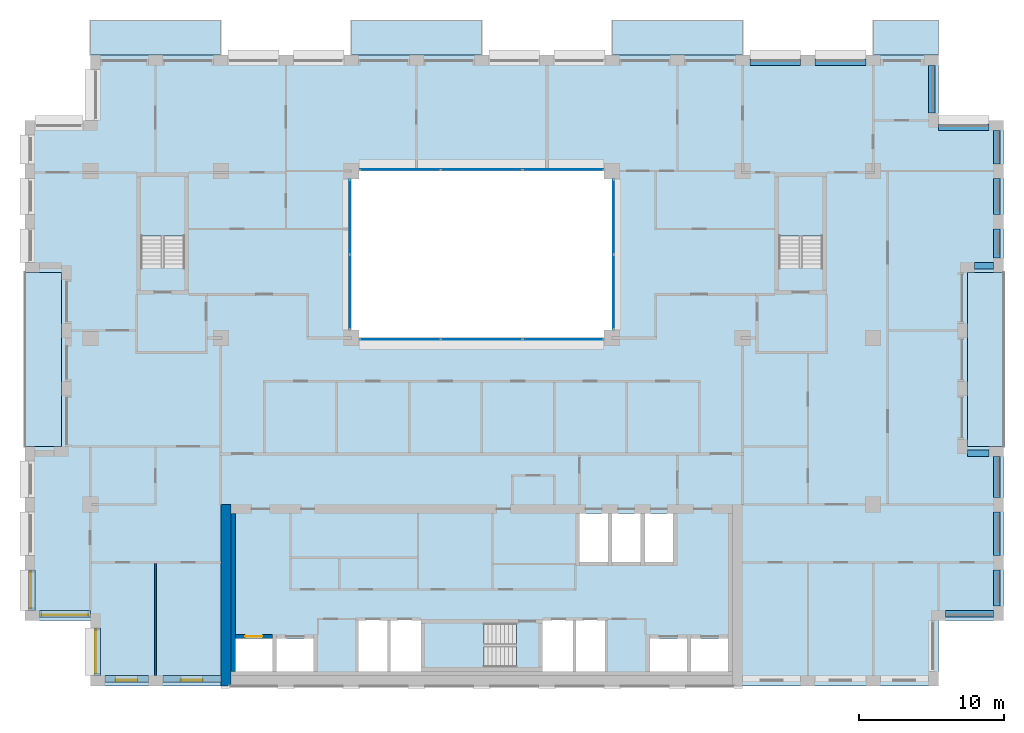
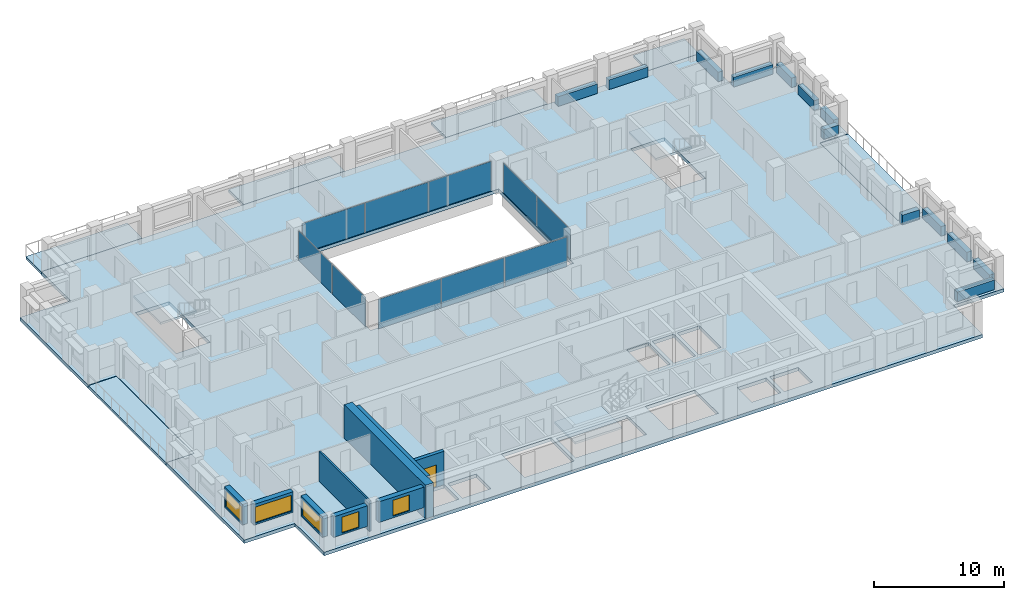
# One storey, part 7 of 15: 13 beams, 10 plates, 10 slabs, 9 walls, 5 windows, 1 door, 6 openings, 7 elements without a shape of their own.
"""IFC4 building model written with IfcOpenShell, lengths in metres."""

from ifc_helpers import new_model, si_unit, direction, frame, frame_2d, origin, origin_2d, place, context, subcontext, project, spatial, polyline, rectangle, outline, extrude, material, layer, layer_set, material_profile, profile_set, type_object, element, fill, aggregate, save


model = new_model("IFC4")

# Units and contexts
model_context = context("Model", 3, precision=1e-05, world=origin(), true_north=direction((0.0, 1.0)))
body_context = subcontext(model_context, "Body", "Model", "MODEL_VIEW")
ifc_project = project(units=[si_unit("LENGTHUNIT", "METRE"), si_unit("AREAUNIT", "SQUARE_METRE"), si_unit("VOLUMEUNIT", "CUBIC_METRE"), si_unit("PLANEANGLEUNIT", "RADIAN"), si_unit("MASSUNIT", "GRAM", prefix="KILO")], contexts=[model_context])

# Site, building, storey
site_placement = place(None, origin())
site = spatial("IfcSite", under=ifc_project, at=site_placement, CompositionType="ELEMENT")
building_placement = place(site_placement, origin())
building = spatial("IfcBuilding", under=site, at=building_placement, Name="Brigalow Station Residences", CompositionType="ELEMENT")
storey_placement = place(building_placement, frame((0.0, 0.0, 150.75)))
storey = spatial("IfcBuildingStorey", under=building, at=storey_placement, Name="L43", CompositionType="ELEMENT", Elevation=150.75)

# Beams
ifc_material_1 = material(Name="Concrete C50", Category="concrete")
ifc_material_profile = material_profile(ifc_material_1, rectangle(XDim=0.449951171875, YDim=0.89990234375, at=origin_2d()), Name="RC450x900")
ifc_profile_set = profile_set([ifc_material_profile], Name="Concrete C50")
beam_type = type_object("IfcBeamType", Name="SPANDREL BEAM 450x900 C50", PredefinedType="SPANDREL", material=ifc_profile_set)
beam_1_placement = place(storey_placement, frame((68.0, 4.97509765625, 0.449951171875), z_axis=(1.0, 0.0, 0.0), x_axis=(0.0, 1.0, 0.0)))
element("IfcBeam", 1, at=beam_1_placement, inside=storey, type_object=beam_type, Name="L43/spandrel/W-L43-8", PredefinedType="SPANDREL", context=body_context, shape_type="SweptSolid", body=[
    extrude(rectangle(XDim=0.449951171875, YDim=0.89990234375, at=origin_2d()), origin(), (0.0, 0.0, 1.0), 3.300048828125),
])
beam_2_placement = place(storey_placement, frame((71.52490234375, 5.5, 0.449951171875), z_axis=(0.0, 1.0, 0.0), x_axis=(-1.0, 0.0, 0.0)))
element("IfcBeam", 2, at=beam_2_placement, inside=storey, type_object=beam_type, Name="L43/spandrel/W-L43-9", PredefinedType="SPANDREL", context=body_context, shape_type="SweptSolid", body=[
    extrude(rectangle(XDim=0.449951171875, YDim=0.89990234375, at=origin_2d()), origin(), (0.0, 0.0, 1.0), 2.5),
])
beam_3_placement = place(storey_placement, frame((71.52490234375, 9.0, 0.449951171875), z_axis=(0.0, 1.0, 0.0), x_axis=(-1.0, 0.0, 0.0)))
element("IfcBeam", 3, at=beam_3_placement, inside=storey, type_object=beam_type, Name="L43/spandrel/W-L43-10", PredefinedType="SPANDREL", context=body_context, shape_type="SweptSolid", body=[
    extrude(rectangle(XDim=0.449951171875, YDim=0.89990234375, at=origin_2d()), origin(), (0.0, 0.0, 1.0), 3.0),
])
beam_4_placement = place(storey_placement, frame((71.52490234375, 13.0, 0.449951171875), z_axis=(0.0, 1.0, 0.0), x_axis=(-1.0, 0.0, 0.0)))
element("IfcBeam", 4, at=beam_4_placement, inside=storey, type_object=beam_type, Name="L43/spandrel/W-L43-11", PredefinedType="SPANDREL", context=body_context, shape_type="SweptSolid", body=[
    extrude(rectangle(XDim=0.449951171875, YDim=0.89990234375, at=origin_2d()), origin(), (0.0, 0.0, 1.0), 2.800048828125),
])
beam_5_placement = place(storey_placement, frame((71.0, 16.02490234375, 0.449951171875), z_axis=(-1.0, 0.0, 0.0), x_axis=(0.0, -1.0, 0.0)))
element("IfcBeam", 5, at=beam_5_placement, inside=storey, type_object=beam_type, Name="L43/spandrel/W-L43-12", PredefinedType="SPANDREL", context=body_context, shape_type="SweptSolid", body=[
    extrude(rectangle(XDim=0.449951171875, YDim=0.89990234375, at=origin_2d()), origin(), (0.0, 0.0, 1.0), 1.5),
])
beam_6_placement = place(storey_placement, frame((70.0, 28.97509765625, 0.449951171875), z_axis=(1.0, 0.0, 0.0), x_axis=(0.0, 1.0, 0.0)))
element("IfcBeam", 6, at=beam_6_placement, inside=storey, type_object=beam_type, Name="L43/spandrel/W-L43-16", PredefinedType="SPANDREL", context=body_context, shape_type="SweptSolid", body=[
    extrude(rectangle(XDim=0.449951171875, YDim=0.89990234375, at=origin_2d()), origin(), (0.0, 0.0, 1.0), 1.300048828125),
])
beam_7_placement = place(storey_placement, frame((71.52490234375, 29.5, 0.449951171875), z_axis=(0.0, 1.0, 0.0), x_axis=(-1.0, 0.0, 0.0)))
element("IfcBeam", 7, at=beam_7_placement, inside=storey, type_object=beam_type, Name="L43/spandrel/W-L43-17", PredefinedType="SPANDREL", context=body_context, shape_type="SweptSolid", body=[
    extrude(rectangle(XDim=0.449951171875, YDim=0.89990234375, at=origin_2d()), origin(), (0.0, 0.0, 1.0), 2.0),
])
beam_8_placement = place(storey_placement, frame((71.52490234375, 32.5, 0.449951171875), z_axis=(0.0, 1.0, 0.0), x_axis=(-1.0, 0.0, 0.0)))
element("IfcBeam", 8, at=beam_8_placement, inside=storey, type_object=beam_type, Name="L43/spandrel/W-L43-18", PredefinedType="SPANDREL", context=body_context, shape_type="SweptSolid", body=[
    extrude(rectangle(XDim=0.449951171875, YDim=0.89990234375, at=origin_2d()), origin(), (0.0, 0.0, 1.0), 2.5),
])
beam_9_placement = place(storey_placement, frame((71.52490234375, 36.0, 0.449951171875), z_axis=(0.0, 1.0, 0.0), x_axis=(-1.0, 0.0, 0.0)))
element("IfcBeam", 9, at=beam_9_placement, inside=storey, type_object=beam_type, Name="L43/spandrel/W-L43-19", PredefinedType="SPANDREL", context=body_context, shape_type="SweptSolid", body=[
    extrude(rectangle(XDim=0.449951171875, YDim=0.89990234375, at=origin_2d()), origin(), (0.0, 0.0, 1.0), 2.300048828125),
])
beam_10_placement = place(storey_placement, frame((71.0, 38.52490234375, 0.449951171875), z_axis=(-1.0, 0.0, 0.0), x_axis=(0.0, -1.0, 0.0)))
element("IfcBeam", 10, at=beam_10_placement, inside=storey, type_object=beam_type, Name="L43/spandrel/W-L43-20", PredefinedType="SPANDREL", context=body_context, shape_type="SweptSolid", body=[
    extrude(rectangle(XDim=0.449951171875, YDim=0.89990234375, at=origin_2d()), origin(), (0.0, 0.0, 1.0), 3.5),
])
beam_11_placement = place(storey_placement, frame((67.02490234375, 39.5, 0.449951171875), z_axis=(0.0, 1.0, 0.0), x_axis=(-1.0, 0.0, 0.0)))
element("IfcBeam", 11, at=beam_11_placement, inside=storey, type_object=beam_type, Name="L43/spandrel/W-L43-21", PredefinedType="SPANDREL", context=body_context, shape_type="SweptSolid", body=[
    extrude(rectangle(XDim=0.449951171875, YDim=0.89990234375, at=origin_2d()), origin(), (0.0, 0.0, 1.0), 3.300048828125),
])
for number, where, z_axis, x_axis, name in (
    (12, (62.5, 43.02490234375, 0.449951171875), (-1.0, 0.0, 0.0), (0.0, -1.0, 0.0), "L43/spandrel/W-L43-23"),
    (13, (58.0, 43.02490234375, 0.449951171875), (-1.0, 0.0, 0.0), (0.0, -1.0, 0.0), "L43/spandrel/W-L43-24"),
):
    element("IfcBeam", number, at=place(storey_placement, frame(where, z_axis=z_axis, x_axis=x_axis)), inside=storey, type_object=beam_type, Name=name, PredefinedType="SPANDREL", context=body_context, shape_type="SweptSolid", body=[
        extrude(rectangle(XDim=0.449951171875, YDim=0.89990234375, at=origin_2d()), origin(), (0.0, 0.0, 1.0), 3.5),
    ])

# Curtain wall, plates
ifc_material_2 = material(Name="Aluminium", Category="aluminium")
ifc_layer_1 = layer(ifc_material_2, 0.14990234375)
ifc_layer_set_1 = layer_set([ifc_layer_1], Name="ATRIUM FIRE-RATED GLAZING CURTAIN WALL")
curtain_wall_type = type_object("IfcCurtainWallType", Name="ATRIUM FIRE-RATED GLAZING CURTAIN WALL", PredefinedType="NOTDEFINED", material=ifc_layer_set_1)
curtain_wall_1_placement = place(storey_placement, origin())
curtain_wall_1 = element("IfcCurtainWall", 14, at=curtain_wall_1_placement, inside=storey, type_object=curtain_wall_type, Name="L43/cw/atrium-S", PredefinedType="NOTDEFINED")
ifc_material_3 = material(Name="Fire-resisting laminated glazing, FRL -/60/-", Category="glass")
ifc_layer_2 = layer(ifc_material_3, 0.031982421875)
ifc_layer_set_2 = layer_set([ifc_layer_2], Name="ATRIUM FIRE-RATED GLAZING PANEL 32")
plate_type = type_object("IfcPlateType", Name="ATRIUM FIRE-RATED GLAZING PANEL 32", PredefinedType="CURTAIN_PANEL", material=ifc_layer_set_2)
plate_1_placement = place(storey_placement, frame((30.381591796875, 23.89990234375, 0.0), z_axis=(0.0, 0.0, 1.0), x_axis=(1.0, 0.0, 0.0)))
plate_1 = element("IfcPlate", 15, at=plate_1_placement, type_object=plate_type, Name="L43/cw/atrium-S/P00-00", PredefinedType="CURTAIN_PANEL", context=body_context, shape_type="SweptSolid", body=[
    extrude(rectangle(XDim=5.543212890625, YDim=0.031982421875, at=origin_2d()), origin(), (0.0, 0.0, 1.0), 2.77001953125),
])
plate_2_placement = place(storey_placement, frame((36.0, 23.89990234375, 0.0), z_axis=(0.0, 0.0, 1.0), x_axis=(1.0, 0.0, 0.0)))
plate_2 = element("IfcPlate", 16, at=plate_2_placement, type_object=plate_type, Name="L43/cw/atrium-S/P01-00", PredefinedType="CURTAIN_PANEL", context=body_context, shape_type="SweptSolid", body=[
    extrude(rectangle(XDim=5.5732421875, YDim=0.031982421875, at=origin_2d()), origin(), (0.0, 0.0, 1.0), 2.77001953125),
])
plate_3_placement = place(storey_placement, frame((41.618408203125, 23.89990234375, 0.0), z_axis=(0.0, 0.0, 1.0), x_axis=(1.0, 0.0, 0.0)))
plate_3 = element("IfcPlate", 17, at=plate_3_placement, type_object=plate_type, Name="L43/cw/atrium-S/P02-00", PredefinedType="CURTAIN_PANEL", context=body_context, shape_type="SweptSolid", body=[
    extrude(rectangle(XDim=5.543212890625, YDim=0.031982421875, at=origin_2d()), origin(), (0.0, 0.0, 1.0), 2.77001953125),
])
aggregate(curtain_wall_1, [plate_1, plate_2, plate_3])

curtain_wall_2_placement = place(storey_placement, origin())
curtain_wall_2 = element("IfcCurtainWall", 18, at=curtain_wall_2_placement, inside=storey, type_object=curtain_wall_type, Name="L43/cw/atrium-E", PredefinedType="NOTDEFINED")
plate_4_placement = place(storey_placement, frame((45.10009765625, 27.1650390625, 0.0), z_axis=(0.0, 0.0, 1.0), x_axis=(0.0, 1.0, 0.0)))
plate_4 = element("IfcPlate", 19, at=plate_4_placement, type_object=plate_type, Name="L43/cw/atrium-E/P00-00", PredefinedType="CURTAIN_PANEL", context=body_context, shape_type="SweptSolid", body=[
    extrude(rectangle(XDim=5.110107421875, YDim=0.031982421875, at=origin_2d()), origin(), (0.0, 0.0, 1.0), 2.77001953125),
])
plate_5_placement = place(storey_placement, frame((45.10009765625, 32.3349609375, 0.0), z_axis=(0.0, 0.0, 1.0), x_axis=(0.0, 1.0, 0.0)))
plate_5 = element("IfcPlate", 20, at=plate_5_placement, type_object=plate_type, Name="L43/cw/atrium-E/P01-00", PredefinedType="CURTAIN_PANEL", context=body_context, shape_type="SweptSolid", body=[
    extrude(rectangle(XDim=5.110107421875, YDim=0.031982421875, at=origin_2d()), origin(), (0.0, 0.0, 1.0), 2.77001953125),
])
aggregate(curtain_wall_2, [plate_4, plate_5])

curtain_wall_3_placement = place(storey_placement, origin())
curtain_wall_3 = element("IfcCurtainWall", 21, at=curtain_wall_3_placement, inside=storey, type_object=curtain_wall_type, Name="L43/cw/atrium-N", PredefinedType="NOTDEFINED")
plate_6_placement = place(storey_placement, frame((41.618408203125, 35.60009765625, 0.0), z_axis=(0.0, 0.0, 1.0), x_axis=(-1.0, 0.0, 0.0)))
plate_6 = element("IfcPlate", 22, at=plate_6_placement, type_object=plate_type, Name="L43/cw/atrium-N/P00-00", PredefinedType="CURTAIN_PANEL", context=body_context, shape_type="SweptSolid", body=[
    extrude(rectangle(XDim=5.543212890625, YDim=0.031982421875, at=origin_2d()), origin(), (0.0, 0.0, 1.0), 2.77001953125),
])
plate_7_placement = place(storey_placement, frame((36.0, 35.60009765625, 0.0), z_axis=(0.0, 0.0, 1.0), x_axis=(-1.0, 0.0, 0.0)))
plate_7 = element("IfcPlate", 23, at=plate_7_placement, type_object=plate_type, Name="L43/cw/atrium-N/P01-00", PredefinedType="CURTAIN_PANEL", context=body_context, shape_type="SweptSolid", body=[
    extrude(rectangle(XDim=5.5732421875, YDim=0.031982421875, at=origin_2d()), origin(), (0.0, 0.0, 1.0), 2.77001953125),
])
plate_8_placement = place(storey_placement, frame((30.381591796875, 35.60009765625, 0.0), z_axis=(0.0, 0.0, 1.0), x_axis=(-1.0, 0.0, 0.0)))
plate_8 = element("IfcPlate", 24, at=plate_8_placement, type_object=plate_type, Name="L43/cw/atrium-N/P02-00", PredefinedType="CURTAIN_PANEL", context=body_context, shape_type="SweptSolid", body=[
    extrude(rectangle(XDim=5.543212890625, YDim=0.031982421875, at=origin_2d()), origin(), (0.0, 0.0, 1.0), 2.77001953125),
])
aggregate(curtain_wall_3, [plate_6, plate_7, plate_8])

curtain_wall_4_placement = place(storey_placement, origin())
curtain_wall_4 = element("IfcCurtainWall", 25, at=curtain_wall_4_placement, inside=storey, type_object=curtain_wall_type, Name="L43/cw/atrium-W", PredefinedType="NOTDEFINED")
plate_9_placement = place(storey_placement, frame((26.89990234375, 32.3349609375, 0.0), z_axis=(0.0, 0.0, 1.0), x_axis=(0.0, -1.0, 0.0)))
plate_9 = element("IfcPlate", 26, at=plate_9_placement, type_object=plate_type, Name="L43/cw/atrium-W/P00-00", PredefinedType="CURTAIN_PANEL", context=body_context, shape_type="SweptSolid", body=[
    extrude(rectangle(XDim=5.110107421875, YDim=0.031982421875, at=origin_2d()), origin(), (0.0, 0.0, 1.0), 2.77001953125),
])
plate_10_placement = place(storey_placement, frame((26.89990234375, 27.1650390625, 0.0), z_axis=(0.0, 0.0, 1.0), x_axis=(0.0, -1.0, 0.0)))
plate_10 = element("IfcPlate", 27, at=plate_10_placement, type_object=plate_type, Name="L43/cw/atrium-W/P01-00", PredefinedType="CURTAIN_PANEL", context=body_context, shape_type="SweptSolid", body=[
    extrude(rectangle(XDim=5.110107421875, YDim=0.031982421875, at=origin_2d()), origin(), (0.0, 0.0, 1.0), 2.77001953125),
])
aggregate(curtain_wall_4, [plate_9, plate_10])

# Slabs
ifc_material_4 = material(Name="Concrete C50 precast", Category="concrete")
ifc_layer_3 = layer(ifc_material_4, 0.25)
ifc_layer_set_3 = layer_set([ifc_layer_3], Name="BALCONY SLAB 250")
slab_type_1 = type_object("IfcSlabType", Name="BALCONY SLAB 250", PredefinedType="USERDEFINED", material=ifc_layer_set_3)
slab_1_placement = place(storey_placement, frame((0.0, 0.0, -0.2900390625)))
element("IfcSlab", 28, at=slab_1_placement, inside=storey, type_object=slab_type_1, Name="L43/balcony/1", ObjectType="BALCONY", PredefinedType="USERDEFINED", context=body_context, shape_type="SweptSolid", body=[
    extrude(outline(polyline([(69.5, 16.5), (72.0, 16.5), (72.0, 28.5), (69.5, 28.5), (69.5, 16.5)])), origin(), (0.0, 0.0, 1.0), 0.25),
])
slab_2_placement = place(storey_placement, frame((0.0, 0.0, -0.2900390625)))
element("IfcSlab", 29, at=slab_2_placement, inside=storey, type_object=slab_type_1, Name="L43/balcony/2", ObjectType="BALCONY", PredefinedType="USERDEFINED", context=body_context, shape_type="SweptSolid", body=[
    extrude(outline(polyline([(67.5, 43.5), (67.5, 45.89990234375), (63.0, 45.89990234375), (63.0, 43.5), (67.5, 43.5)])), origin(), (0.0, 0.0, 1.0), 0.25),
])
slab_3_placement = place(storey_placement, frame((0.0, 0.0, -0.2900390625)))
element("IfcSlab", 30, at=slab_3_placement, inside=storey, type_object=slab_type_1, Name="L43/balcony/3", ObjectType="BALCONY", PredefinedType="USERDEFINED", context=body_context, shape_type="SweptSolid", body=[
    extrude(outline(polyline([(54.0, 43.5), (54.0, 45.89990234375), (45.0, 45.89990234375), (45.0, 43.5), (54.0, 43.5)])), origin(), (0.0, 0.0, 1.0), 0.25),
])
slab_4_placement = place(storey_placement, frame((0.0, 0.0, -0.2900390625)))
element("IfcSlab", 31, at=slab_4_placement, inside=storey, type_object=slab_type_1, Name="L43/balcony/4", ObjectType="BALCONY", PredefinedType="USERDEFINED", context=body_context, shape_type="SweptSolid", body=[
    extrude(outline(polyline([(36.0, 43.5), (36.0, 45.89990234375), (27.0, 45.89990234375), (27.0, 43.5), (36.0, 43.5)])), origin(), (0.0, 0.0, 1.0), 0.25),
])
slab_5_placement = place(storey_placement, frame((0.0, 0.0, -0.2900390625)))
element("IfcSlab", 32, at=slab_5_placement, inside=storey, type_object=slab_type_1, Name="L43/balcony/5", ObjectType="BALCONY", PredefinedType="USERDEFINED", context=body_context, shape_type="SweptSolid", body=[
    extrude(outline(polyline([(18.0, 43.5), (18.0, 45.89990234375), (9.0, 45.89990234375), (9.0, 43.5), (18.0, 43.5)])), origin(), (0.0, 0.0, 1.0), 0.25),
])
slab_6_placement = place(storey_placement, frame((0.0, 0.0, -0.2900390625)))
element("IfcSlab", 33, at=slab_6_placement, inside=storey, type_object=slab_type_1, Name="L43/balcony/6", ObjectType="BALCONY", PredefinedType="USERDEFINED", context=body_context, shape_type="SweptSolid", body=[
    extrude(outline(polyline([(7.0, 28.5), (4.5, 28.5), (4.5, 16.5), (7.0, 16.5), (7.0, 28.5)])), origin(), (0.0, 0.0, 1.0), 0.25),
])
ifc_material_5 = material(Name="Concrete C50", Category="concrete")
ifc_layer_4 = layer(ifc_material_5, 0.320068359375)
ifc_layer_set_4 = layer_set([ifc_layer_4], Name="POST-TENSIONED FLAT PLATE 320 C50")
slab_type_2 = type_object("IfcSlabType", Name="POST-TENSIONED FLAT PLATE 320 C50", PredefinedType="FLOOR", material=ifc_layer_set_4)
slab_7_placement = place(storey_placement, frame((0.0, 0.0, -0.320068359375)))
element("IfcSlab", 34, at=slab_7_placement, inside=storey, type_object=slab_type_2, Name="FLOOR SLAB L43", PredefinedType="FLOOR", context=body_context, shape_type="SweptSolid", body=[
    extrude(outline(polyline([(9.0, 0.0), (67.5, 0.0), (67.5, 4.5), (72.0, 4.5), (72.0, 16.5), (69.5, 16.5), (69.5, 28.5), (72.0, 28.5), (72.0, 39.0), (67.5, 39.0), (67.5, 43.5), (9.0, 43.5), (9.0, 39.0), (4.5, 39.0), (4.5, 28.5), (7.0, 28.5), (7.0, 16.5), (4.5, 16.5), (4.5, 4.5), (9.0, 4.5), (9.0, 0.0)]), holes=[polyline([(12.5048828125, 35.094970703125), (15.4951171875, 35.094970703125), (15.4951171875, 28.804931640625), (12.5048828125, 28.804931640625), (12.5048828125, 35.094970703125)]), polyline([(19.0, 1.0), (19.0, 3.25), (21.550048828125, 3.25), (21.550048828125, 1.0), (19.0, 1.0)]), polyline([(21.85009765625, 3.25), (24.39990234375, 3.25), (24.39990234375, 1.0), (21.85009765625, 1.0), (21.85009765625, 3.25)]), polyline([(27.0, 35.5), (45.0, 35.5), (45.0, 24.0), (27.0, 24.0), (27.0, 35.5)]), polyline([(29.60009765625, 4.60009765625), (31.800048828125, 4.60009765625), (31.800048828125, 1.0), (29.60009765625, 1.0), (27.39990234375, 1.0), (27.39990234375, 4.60009765625), (29.60009765625, 4.60009765625)]), polyline([(32.10498046875, 4.294921875), (38.39501953125, 4.294921875), (38.39501953125, 1.304931640625), (32.10498046875, 1.304931640625), (32.10498046875, 4.294921875)]), polyline([(40.199951171875, 4.60009765625), (42.39990234375, 4.60009765625), (44.60009765625, 4.60009765625), (44.60009765625, 1.0), (42.39990234375, 1.0), (40.199951171875, 1.0), (40.199951171875, 4.60009765625)]), polyline([(42.75, 11.89990234375), (44.699951171875, 11.89990234375), (44.699951171875, 8.550048828125), (42.75, 8.550048828125), (42.75, 11.89990234375)]), polyline([(45.0, 11.89990234375), (46.949951171875, 11.89990234375), (46.949951171875, 8.550048828125), (45.0, 8.550048828125), (45.0, 11.89990234375)]), polyline([(47.25, 11.89990234375), (49.199951171875, 11.89990234375), (49.199951171875, 8.550048828125), (47.25, 8.550048828125), (47.25, 11.89990234375)]), polyline([(47.60009765625, 3.25), (50.14990234375, 3.25), (50.14990234375, 1.0), (47.60009765625, 1.0), (47.60009765625, 3.25)]), polyline([(50.449951171875, 3.25), (53.0, 3.25), (53.0, 1.0), (50.449951171875, 1.0), (50.449951171875, 3.25)]), polyline([(56.5048828125, 35.094970703125), (59.4951171875, 35.094970703125), (59.4951171875, 28.804931640625), (56.5048828125, 28.804931640625), (56.5048828125, 35.094970703125)])]), origin(), (0.0, 0.0, 1.0), 0.320068359375),
])

# Stair, slab
ifc_material_6 = material(Name="Concrete C50", Category="concrete")
stair_type = type_object("IfcStairType", Name="EXIT STAIR 1400 2 FLIGHT", PredefinedType="HALF_TURN_STAIR", material=ifc_material_6)
stair_1_placement = place(storey_placement, origin())
stair_1 = element("IfcStair", 35, at=stair_1_placement, inside=storey, type_object=stair_type, Name="EXIT STAIR S2 L43", PredefinedType="HALF_TURN_STAIR")
ifc_material_7 = material(Name="Concrete C50", Category="concrete")
ifc_layer_5 = layer(ifc_material_7, 0.199951171875)
ifc_layer_set_5 = layer_set([ifc_layer_5], Name="STAIR LANDING 200")
slab_type_3 = type_object("IfcSlabType", Name="STAIR LANDING 200", PredefinedType="LANDING", material=ifc_layer_set_5)
slab_8_placement = place(storey_placement, frame((0.0, 0.0, 1.375)))
slab_8 = element("IfcSlab", 36, at=slab_8_placement, type_object=slab_type_3, Name="ST-2 landing 1", PredefinedType="LANDING", context=body_context, shape_type="SweptSolid", body=[
    extrude(outline(polyline([(32.0, 1.199951171875), (36.159912109375, 1.199951171875), (36.159912109375, 4.39990234375), (32.0, 4.39990234375), (32.0, 1.199951171875)])), origin(), (0.0, 0.0, 1.0), 0.199951171875),
])
aggregate(stair_1, [slab_8])

stair_2_placement = place(storey_placement, origin())
stair_2 = element("IfcStair", 37, at=stair_2_placement, inside=storey, type_object=stair_type, Name="EXIT STAIR S1 L43", PredefinedType="HALF_TURN_STAIR")
slab_9_placement = place(storey_placement, frame((0.0, 0.0, 1.375)))
slab_9 = element("IfcSlab", 38, at=slab_9_placement, type_object=slab_type_3, Name="ST-1 landing 1", PredefinedType="LANDING", context=body_context, shape_type="SweptSolid", body=[
    extrude(outline(polyline([(12.39990234375, 31.0400390625), (15.60009765625, 31.0400390625), (15.60009765625, 35.199951171875), (12.39990234375, 35.199951171875), (12.39990234375, 31.0400390625)])), origin(), (0.0, 0.0, 1.0), 0.199951171875),
])
aggregate(stair_2, [slab_9])

stair_3_placement = place(storey_placement, origin())
stair_3 = element("IfcStair", 39, at=stair_3_placement, inside=storey, type_object=stair_type, Name="EXIT STAIR S3 L43", PredefinedType="HALF_TURN_STAIR")
slab_10_placement = place(storey_placement, frame((0.0, 0.0, 1.375)))
slab_10 = element("IfcSlab", 40, at=slab_10_placement, type_object=slab_type_3, Name="ST-3 landing 1", PredefinedType="LANDING", context=body_context, shape_type="SweptSolid", body=[
    extrude(outline(polyline([(56.39990234375, 31.0400390625), (59.60009765625, 31.0400390625), (59.60009765625, 35.199951171875), (56.39990234375, 35.199951171875), (56.39990234375, 31.0400390625)])), origin(), (0.0, 0.0, 1.0), 0.199951171875),
])
aggregate(stair_3, [slab_10])

# Wall, opening, window
ifc_material_8 = material(Name="Clay brick masonry", Category="masonry")
ifc_layer_6 = layer(ifc_material_8, 0.449951171875)
ifc_layer_set_6 = layer_set([ifc_layer_6], Name="BRICK INFILL WALL 450")
wall_type_1 = type_object("IfcWallType", Name="BRICK INFILL WALL 450", PredefinedType="SOLIDWALL", material=ifc_layer_set_6)
wall_1_placement = place(storey_placement, frame((10.0, 0.47509765625, 0.89990234375), z_axis=(0.0, 0.0, 1.0), x_axis=(1.0, 0.0, 0.0)))
wall_1 = element("IfcWall", 41, at=wall_1_placement, inside=storey, type_object=wall_type_1, Name="L43/ewall/W-L43-1", PredefinedType="SOLIDWALL", context=body_context, shape_type="SweptSolid", body=[
    extrude(rectangle(XDim=3.0, YDim=0.449951171875, at=frame_2d((1.5, 0.0))), origin(), (0.0, 0.0, 1.0), 1.93017578125),
])
opening_1_placement = place(wall_1_placement, frame((0.75, 0.0, 0.14990234375)))
opening_1 = element("IfcOpeningElement", 42, at=opening_1_placement, cuts=wall_1, Name="Opening WT-1", PredefinedType="OPENING", context=body_context, shape_type="SweptSolid", body=[
    extrude(rectangle(XDim=1.5, YDim=1.5, at=frame_2d((0.75, 0.75))), frame((0.0, 0.23486328125, 0.0), z_axis=(0.0, -1.0, 0.0), x_axis=(1.0, 0.0, 0.0)), (0.0, 0.0, 1.0), 0.469970703125),
])
ifc_material_9 = material(Name="Anodised aluminium frame with double glazing", Category="aluminium")
window_type_1 = type_object("IfcWindowType", Name="WINDOW 1500x1500", PartitioningType="SINGLE_PANEL", PredefinedType="WINDOW", material=ifc_material_9)
window_1_placement = place(opening_1_placement, origin())
window_1 = element("IfcWindow", 43, at=window_1_placement, inside=storey, type_object=window_type_1, Name="L43/window/W-L43-1", OverallHeight=1.5, OverallWidth=1.5, PartitioningType="SINGLE_PANEL", PredefinedType="WINDOW", context=body_context, shape_type="SweptSolid", body=[
    extrude(rectangle(XDim=1.5, YDim=1.5, at=frame_2d((0.75, 0.75))), frame((0.0, -0.06494140625, 0.0), z_axis=(0.0, -1.0, 0.0), x_axis=(1.0, 0.0, 0.0)), (0.0, 0.0, 1.0), 0.06005859375),
])
fill(opening_1, window_1)

wall_2_placement = place(storey_placement, frame((14.0, 0.47509765625, 0.89990234375), z_axis=(0.0, 0.0, 1.0), x_axis=(1.0, 0.0, 0.0)))
wall_2 = element("IfcWall", 44, at=wall_2_placement, inside=storey, type_object=wall_type_1, Name="L43/ewall/W-L43-2", PredefinedType="SOLIDWALL", context=body_context, shape_type="SweptSolid", body=[
    extrude(rectangle(XDim=4.0, YDim=0.449951171875, at=frame_2d((2.0, 0.0))), origin(), (0.0, 0.0, 1.0), 1.93017578125),
])
opening_2_placement = place(wall_2_placement, frame((1.25, 0.0, 0.14990234375)))
opening_2 = element("IfcOpeningElement", 45, at=opening_2_placement, cuts=wall_2, Name="Opening WT-1", PredefinedType="OPENING", context=body_context, shape_type="SweptSolid", body=[
    extrude(rectangle(XDim=1.5, YDim=1.5, at=frame_2d((0.75, 0.75))), frame((0.0, 0.23486328125, 0.0), z_axis=(0.0, -1.0, 0.0), x_axis=(1.0, 0.0, 0.0)), (0.0, 0.0, 1.0), 0.469970703125),
])
window_2_placement = place(opening_2_placement, origin())
window_2 = element("IfcWindow", 46, at=window_2_placement, inside=storey, type_object=window_type_1, Name="L43/window/W-L43-2", OverallHeight=1.5, OverallWidth=1.5, PartitioningType="SINGLE_PANEL", PredefinedType="WINDOW", context=body_context, shape_type="SweptSolid", body=[
    extrude(rectangle(XDim=1.5, YDim=1.5, at=frame_2d((0.75, 0.75))), frame((0.0, -0.06494140625, 0.0), z_axis=(0.0, -1.0, 0.0), x_axis=(1.0, 0.0, 0.0)), (0.0, 0.0, 1.0), 0.06005859375),
])
fill(opening_2, window_2)

wall_3_placement = place(storey_placement, frame((4.97509765625, 8.0, 0.89990234375), z_axis=(0.0, 0.0, 1.0), x_axis=(0.0, -1.0, 0.0)))
wall_3 = element("IfcWall", 47, at=wall_3_placement, inside=storey, type_object=wall_type_1, Name="L43/ewall/W-L43-47", PredefinedType="SOLIDWALL", context=body_context, shape_type="SweptSolid", body=[
    extrude(rectangle(XDim=2.800048828125, YDim=0.449951171875, at=frame_2d((1.39990234375, 0.0))), origin(), (0.0, 0.0, 1.0), 1.93017578125),
])
opening_3_placement = place(wall_3_placement, frame((0.14990234375, 0.0, 0.14990234375)))
opening_3 = element("IfcOpeningElement", 48, at=opening_3_placement, cuts=wall_3, Name="Opening WT-5", PredefinedType="OPENING", context=body_context, shape_type="SweptSolid", body=[
    extrude(rectangle(XDim=2.5, YDim=1.5, at=frame_2d((1.25, 0.75))), frame((0.0, 0.23486328125, 0.0), z_axis=(0.0, -1.0, 0.0), x_axis=(1.0, 0.0, 0.0)), (0.0, 0.0, 1.0), 0.469970703125),
])
ifc_material_10 = material(Name="Anodised aluminium frame with double glazing", Category="aluminium")
window_type_2 = type_object("IfcWindowType", Name="WINDOW 2500x1500", PartitioningType="SINGLE_PANEL", PredefinedType="WINDOW", material=ifc_material_10)
window_3_placement = place(opening_3_placement, origin())
window_3 = element("IfcWindow", 49, at=window_3_placement, inside=storey, type_object=window_type_2, Name="L43/window/W-L43-47", OverallHeight=1.5, OverallWidth=2.5, PartitioningType="SINGLE_PANEL", PredefinedType="WINDOW", context=body_context, shape_type="SweptSolid", body=[
    extrude(rectangle(XDim=2.5, YDim=1.5, at=frame_2d((1.25, 0.75))), frame((0.0, -0.06494140625, 0.0), z_axis=(0.0, -1.0, 0.0), x_axis=(1.0, 0.0, 0.0)), (0.0, 0.0, 1.0), 0.06005859375),
])
fill(opening_3, window_3)

wall_4_placement = place(storey_placement, frame((5.5, 4.97509765625, 0.89990234375), z_axis=(0.0, 0.0, 1.0), x_axis=(1.0, 0.0, 0.0)))
wall_4 = element("IfcWall", 50, at=wall_4_placement, inside=storey, type_object=wall_type_1, Name="L43/ewall/W-L43-48", PredefinedType="SOLIDWALL", context=body_context, shape_type="SweptSolid", body=[
    extrude(rectangle(XDim=3.5, YDim=0.449951171875, at=frame_2d((1.75, 0.0))), origin(), (0.0, 0.0, 1.0), 1.93017578125),
])
opening_4_placement = place(wall_4_placement, frame((0.14990234375, 0.0, 0.14990234375)))
opening_4 = element("IfcOpeningElement", 51, at=opening_4_placement, cuts=wall_4, Name="Opening WT-9", PredefinedType="OPENING", context=body_context, shape_type="SweptSolid", body=[
    extrude(rectangle(XDim=3.199951171875, YDim=1.5, at=frame_2d((1.60009765625, 0.75))), frame((0.0, 0.23486328125, 0.0), z_axis=(0.0, -1.0, 0.0), x_axis=(1.0, 0.0, 0.0)), (0.0, 0.0, 1.0), 0.469970703125),
])
ifc_material_11 = material(Name="Anodised aluminium frame with double glazing", Category="aluminium")
window_type_3 = type_object("IfcWindowType", Name="WINDOW 3200x1500", PartitioningType="SINGLE_PANEL", PredefinedType="WINDOW", material=ifc_material_11)
window_4_placement = place(opening_4_placement, origin())
window_4 = element("IfcWindow", 52, at=window_4_placement, inside=storey, type_object=window_type_3, Name="L43/window/W-L43-48", OverallHeight=1.5, OverallWidth=3.199951171875, PartitioningType="SINGLE_PANEL", PredefinedType="WINDOW", context=body_context, shape_type="SweptSolid", body=[
    extrude(rectangle(XDim=3.199951171875, YDim=1.5, at=frame_2d((1.60009765625, 0.75))), frame((0.0, -0.06494140625, 0.0), z_axis=(0.0, -1.0, 0.0), x_axis=(1.0, 0.0, 0.0)), (0.0, 0.0, 1.0), 0.06005859375),
])
fill(opening_4, window_4)

wall_5_placement = place(storey_placement, frame((9.47509765625, 4.0, 0.89990234375), z_axis=(0.0, 0.0, 1.0), x_axis=(0.0, -1.0, 0.0)))
wall_5 = element("IfcWall", 53, at=wall_5_placement, inside=storey, type_object=wall_type_1, Name="L43/ewall/W-L43-49", PredefinedType="SOLIDWALL", context=body_context, shape_type="SweptSolid", body=[
    extrude(rectangle(XDim=3.300048828125, YDim=0.449951171875, at=frame_2d((1.64990234375, 0.0))), origin(), (0.0, 0.0, 1.0), 1.93017578125),
])
opening_5_placement = place(wall_5_placement, frame((0.14990234375, 0.0, 0.14990234375)))
opening_5 = element("IfcOpeningElement", 54, at=opening_5_placement, cuts=wall_5, Name="Opening WT-2", PredefinedType="OPENING", context=body_context, shape_type="SweptSolid", body=[
    extrude(rectangle(XDim=3.0, YDim=1.5, at=frame_2d((1.5, 0.75))), frame((0.0, 0.23486328125, 0.0), z_axis=(0.0, -1.0, 0.0), x_axis=(1.0, 0.0, 0.0)), (0.0, 0.0, 1.0), 0.469970703125),
])
ifc_material_12 = material(Name="Anodised aluminium frame with double glazing", Category="aluminium")
window_type_4 = type_object("IfcWindowType", Name="WINDOW 3000x1500", PartitioningType="SINGLE_PANEL", PredefinedType="WINDOW", material=ifc_material_12)
window_5_placement = place(opening_5_placement, origin())
window_5 = element("IfcWindow", 55, at=window_5_placement, inside=storey, type_object=window_type_4, Name="L43/window/W-L43-49", OverallHeight=1.5, OverallWidth=3.0, PartitioningType="SINGLE_PANEL", PredefinedType="WINDOW", context=body_context, shape_type="SweptSolid", body=[
    extrude(rectangle(XDim=3.0, YDim=1.5, at=frame_2d((1.5, 0.75))), frame((0.0, -0.06494140625, 0.0), z_axis=(0.0, -1.0, 0.0), x_axis=(1.0, 0.0, 0.0)), (0.0, 0.0, 1.0), 0.06005859375),
])
fill(opening_5, window_5)

# Wall
ifc_material_13 = material(Name="Concrete C65", Category="concrete")
ifc_layer_7 = layer(ifc_material_13, 0.300048828125)
ifc_layer_set_7 = layer_set([ifc_layer_7], Name="CORE SHEAR WALL 300 C65")
wall_type_2 = type_object("IfcWallType", Name="CORE SHEAR WALL 300 C65", PredefinedType="SHEAR", material=ifc_layer_set_7)
wall_6_placement = place(storey_placement, frame((18.85009765625, 1.0, 0.0), z_axis=(0.0, 0.0, 1.0), x_axis=(0.0, 1.0, 0.0)))
element("IfcWall", 56, at=wall_6_placement, inside=storey, type_object=wall_type_2, Name="CORE WALL LIN-W L43", PredefinedType="SHEAR", context=body_context, shape_type="SweptSolid", body=[
    extrude(rectangle(XDim=10.89990234375, YDim=0.300048828125, at=frame_2d((5.449951171875, 0.0))), origin(), (0.0, 0.0, 1.0), 3.14990234375),
])

# Wall, opening, door
wall_7_placement = place(storey_placement, frame((19.0, 3.39990234375, 0.0), z_axis=(0.0, 0.0, 1.0), x_axis=(1.0, 0.0, 0.0)))
wall_7 = element("IfcWall", 57, at=wall_7_placement, inside=storey, type_object=wall_type_2, Name="CORE WALL SH-C1-N L43", PredefinedType="SHEAR", context=body_context, shape_type="SweptSolid", body=[
    extrude(rectangle(XDim=2.550048828125, YDim=0.300048828125, at=frame_2d((1.27490234375, 0.0))), origin(), (0.0, 0.0, 1.0), 3.14990234375),
])
opening_6_placement = place(wall_7_placement, frame((0.675048828125, 0.0, 0.0)))
opening_6 = element("IfcOpeningElement", 58, at=opening_6_placement, cuts=wall_7, Name="Opening LD-LB1", PredefinedType="OPENING", context=body_context, shape_type="SweptSolid", body=[
    extrude(rectangle(XDim=1.199951171875, YDim=2.10009765625, at=frame_2d((0.60009765625, 1.050048828125))), frame((0.0, 0.16015625, 0.0), z_axis=(0.0, -1.0, 0.0), x_axis=(1.0, 0.0, 0.0)), (0.0, 0.0, 1.0), 0.320068359375),
])
ifc_material_14 = material(Name="Stainless steel sliding door leaves", Category="steel")
door_type = type_object("IfcDoorType", Name="LIFT LANDING DOOR 1200 x 2100", OperationType="DOUBLE_DOOR_SLIDING", PredefinedType="DOOR", material=ifc_material_14)
door_placement = place(opening_6_placement, origin())
door = element("IfcDoor", 59, at=door_placement, inside=storey, type_object=door_type, Name="LANDING DOOR LB1", OperationType="DOUBLE_DOOR_SLIDING", OverallHeight=2.10009765625, OverallWidth=1.199951171875, PredefinedType="DOOR", context=body_context, shape_type="SweptSolid", body=[
    extrude(rectangle(XDim=1.199951171875, YDim=2.10009765625, at=frame_2d((0.60009765625, 1.050048828125))), frame((0.0, 0.02490234375, 0.0), z_axis=(0.0, -1.0, 0.0), x_axis=(1.0, 0.0, 0.0)), (0.0, 0.0, 1.0), 0.050048828125),
])
fill(opening_6, door)

# Walls
ifc_material_15 = material(Name="Concrete C65", Category="concrete")
ifc_layer_8 = layer(ifc_material_15, 0.699951171875)
ifc_layer_set_8 = layer_set([ifc_layer_8], Name="CORE SHEAR WALL 700 C65")
wall_type_3 = type_object("IfcWallType", Name="CORE SHEAR WALL 700 C65", PredefinedType="SHEAR", material=ifc_layer_set_8)
wall_8_placement = place(storey_placement, frame((18.35009765625, 0.0, 0.0), z_axis=(0.0, 0.0, 1.0), x_axis=(0.0, 1.0, 0.0)))
element("IfcWall", 60, at=wall_8_placement, inside=storey, type_object=wall_type_3, Name="CORE WALL OUT-W L43", PredefinedType="SHEAR", context=body_context, shape_type="SweptSolid", body=[
    extrude(rectangle(XDim=12.5, YDim=0.699951171875, at=frame_2d((6.25, 0.0))), origin(), (0.0, 0.0, 1.0), 3.14990234375),
])
ifc_material_16 = material(Name="Plasterboard on steel stud partition", Category="steel")
ifc_layer_9 = layer(ifc_material_16, 0.14990234375)
ifc_layer_set_9 = layer_set([ifc_layer_9], Name="FLAT PARTITION 150")
wall_type_4 = type_object("IfcWallType", Name="FLAT PARTITION 150", PredefinedType="PARTITIONING", material=ifc_layer_set_9)
wall_9_placement = place(storey_placement, frame((13.5, 0.699951171875, 0.0), z_axis=(0.0, 0.0, 1.0), x_axis=(0.0, 1.0, 0.0)))
element("IfcWall", 61, at=wall_9_placement, inside=storey, type_object=wall_type_4, Name="PW-3B36", PredefinedType="PARTITIONING", context=body_context, shape_type="SweptSolid", body=[
    extrude(rectangle(XDim=7.72509765625, YDim=0.14990234375, at=frame_2d((3.862548828125, 0.0))), origin(), (0.0, 0.0, 1.0), 2.830078125),
])

save(model, "model.ifc")
